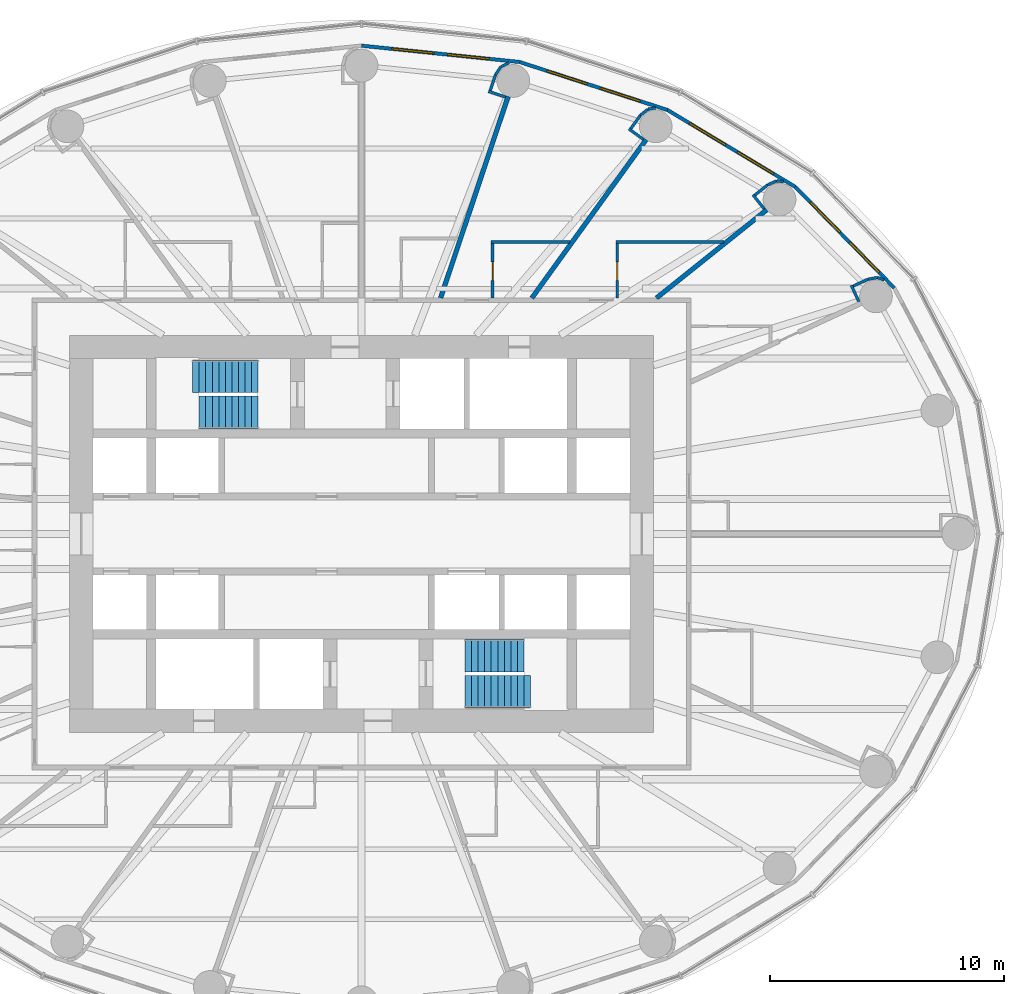
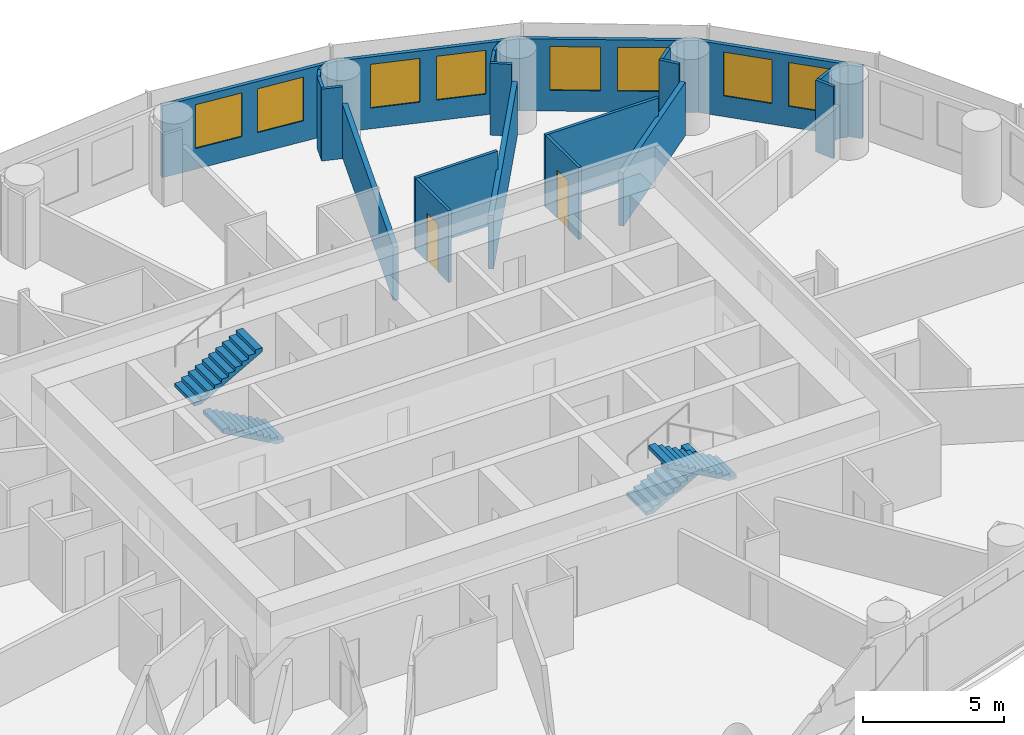
# One storey, part 12 of 13: 27 walls, 8 windows, 4 stair flights, 2 doors, 10 openings, 2 elements without a shape of their own.
"""IFC4 building model written with IfcOpenShell, lengths in metres."""

from ifc_helpers import new_model, si_unit, direction, frame, frame_2d, origin, place, context, subcontext, project, spatial, polyline, rectangle, outline, extrude, material, layer, layer_set, type_object, element, fill, aggregate, save


model = new_model("IFC4")

# Units and contexts
model_context = context("Model", 3, precision=1e-05, world=origin(), true_north=direction((0.0, 1.0)))
body_context = subcontext(model_context, "Body", "Model", "MODEL_VIEW")
ifc_project = project(units=[si_unit("LENGTHUNIT", "METRE"), si_unit("AREAUNIT", "SQUARE_METRE"), si_unit("VOLUMEUNIT", "CUBIC_METRE"), si_unit("PLANEANGLEUNIT", "RADIAN"), si_unit("MASSUNIT", "GRAM", prefix="KILO")], contexts=[model_context])

# Site, building, storey
site_placement = place(None, origin())
site = spatial("IfcSite", under=ifc_project, at=site_placement, CompositionType="ELEMENT")
building_placement = place(site_placement, origin())
building = spatial("IfcBuilding", under=site, at=building_placement, Name="Hankou Lantern Tower", CompositionType="ELEMENT")
storey_placement = place(building_placement, frame((0.0, 0.0, 80.39990234375)))
storey = spatial("IfcBuildingStorey", under=building, at=storey_placement, Name="L20", CompositionType="ELEMENT", Elevation=80.39990234375)

# Wall, openings, windows
ifc_material_1 = material(Name="Aluminium spandrel panel on steel studs", Category="steel")
ifc_layer_1 = layer(ifc_material_1, 0.14990234375)
ifc_layer_set_1 = layer_set([ifc_layer_1], Name="Aluminium spandrel panel on steel studs")
wall_type_1 = type_object("IfcWallType", Name="EW1 INNER SKIN WALL 150", PredefinedType="ELEMENTEDWALL", material=ifc_layer_set_1)
wall_1_placement = place(storey_placement, frame((22.802734375, 10.5322265625, 0.0), z_axis=(0.0, 0.0, 1.0), x_axis=(-0.699602905915, 0.714531856557, 0.0)))
wall_1 = element("IfcWall", 1, at=wall_1_placement, inside=storey, type_object=wall_type_1, Name="Inner skin R03-R04 L20", PredefinedType="ELEMENTEDWALL", context=body_context, shape_type="SweptSolid", body=[
    extrude(rectangle(XDim=6.05078125, YDim=0.14990234375, at=frame_2d((3.025390625, 0.0))), origin(), (0.0, 0.0, 1.0), 3.1201171875),
])
opening_1_placement = place(wall_1_placement, frame((0.925537109375, 0.0, 0.89990234375)))
opening_1 = element("IfcOpeningElement", 2, at=opening_1_placement, cuts=wall_1, Name="Opening W1", PredefinedType="OPENING", context=body_context, shape_type="SweptSolid", body=[
    extrude(rectangle(XDim=1.800048828125, YDim=1.89990234375, at=frame_2d((0.89990234375, 0.949951171875))), frame((0.0, 0.0849609375, 0.0), z_axis=(0.0, -1.0, 0.0), x_axis=(1.0, 0.0, 0.0)), (0.0, 0.0, 1.0), 0.169921875),
])
opening_2_placement = place(wall_1_placement, frame((3.325439453125, 0.0, 0.89990234375)))
opening_2 = element("IfcOpeningElement", 3, at=opening_2_placement, cuts=wall_1, Name="Opening W1", PredefinedType="OPENING", context=body_context, shape_type="SweptSolid", body=[
    extrude(rectangle(XDim=1.800048828125, YDim=1.89990234375, at=frame_2d((0.89990234375, 0.949951171875))), frame((0.0, 0.0849609375, 0.0), z_axis=(0.0, -1.0, 0.0), x_axis=(1.0, 0.0, 0.0)), (0.0, 0.0, 1.0), 0.169921875),
])
ifc_material_2 = material(Name="Aluminium framed double glazed window", Category="aluminium")
window_type = type_object("IfcWindowType", Name="W1 GUEST ROOM WINDOW 1800X1900", PartitioningType="DOUBLE_PANEL_VERTICAL", PredefinedType="WINDOW", material=ifc_material_2)
window_1_placement = place(opening_1_placement, origin())
window_1 = element("IfcWindow", 4, at=window_1_placement, inside=storey, type_object=window_type, Name="Window R03.1 L20", OverallHeight=1.89990234375, OverallWidth=1.800048828125, PartitioningType="SINGLE_PANEL", PredefinedType="WINDOW", context=body_context, shape_type="SweptSolid", body=[
    extrude(rectangle(XDim=1.800048828125, YDim=1.89990234375, at=frame_2d((0.89990234375, 0.949951171875))), frame((0.0, 0.030029296875, 0.0), z_axis=(0.0, -1.0, 0.0), x_axis=(1.0, 0.0, 0.0)), (0.0, 0.0, 1.0), 0.06005859375),
])
fill(opening_1, window_1)
window_2_placement = place(opening_2_placement, origin())
window_2 = element("IfcWindow", 5, at=window_2_placement, inside=storey, type_object=window_type, Name="Window R03.2 L20", OverallHeight=1.89990234375, OverallWidth=1.800048828125, PartitioningType="SINGLE_PANEL", PredefinedType="WINDOW", context=body_context, shape_type="SweptSolid", body=[
    extrude(rectangle(XDim=1.800048828125, YDim=1.89990234375, at=frame_2d((0.89990234375, 0.949951171875))), frame((0.0, 0.030029296875, 0.0), z_axis=(0.0, -1.0, 0.0), x_axis=(1.0, 0.0, 0.0)), (0.0, 0.0, 1.0), 0.06005859375),
])
fill(opening_2, window_2)

wall_2_placement = place(storey_placement, frame((18.569580078125, 14.855712890625, 0.0), z_axis=(0.0, 0.0, 1.0), x_axis=(-0.856983180864, 0.515344377787, 0.0)))
wall_2 = element("IfcWall", 6, at=wall_2_placement, inside=storey, type_object=wall_type_1, Name="Inner skin R04-R05 L20", PredefinedType="ELEMENTEDWALL", context=body_context, shape_type="SweptSolid", body=[
    extrude(rectangle(XDim=6.386474609375, YDim=0.14990234375, at=frame_2d((3.193359375, 0.0))), origin(), (0.0, 0.0, 1.0), 3.1201171875),
])
opening_3_placement = place(wall_2_placement, frame((1.09326171875, 0.0, 0.89990234375)))
opening_3 = element("IfcOpeningElement", 7, at=opening_3_placement, cuts=wall_2, Name="Opening W1", PredefinedType="OPENING", context=body_context, shape_type="SweptSolid", body=[
    extrude(rectangle(XDim=1.800048828125, YDim=1.89990234375, at=frame_2d((0.89990234375, 0.949951171875))), frame((0.0, 0.0849609375, 0.0), z_axis=(0.0, -1.0, 0.0), x_axis=(1.0, 0.0, 0.0)), (0.0, 0.0, 1.0), 0.169921875),
])
opening_4_placement = place(wall_2_placement, frame((3.4931640625, 0.0, 0.89990234375)))
opening_4 = element("IfcOpeningElement", 8, at=opening_4_placement, cuts=wall_2, Name="Opening W1", PredefinedType="OPENING", context=body_context, shape_type="SweptSolid", body=[
    extrude(rectangle(XDim=1.800048828125, YDim=1.89990234375, at=frame_2d((0.89990234375, 0.949951171875))), frame((0.0, 0.0849609375, 0.0), z_axis=(0.0, -1.0, 0.0), x_axis=(1.0, 0.0, 0.0)), (0.0, 0.0, 1.0), 0.169921875),
])
window_3_placement = place(opening_3_placement, origin())
window_3 = element("IfcWindow", 9, at=window_3_placement, inside=storey, type_object=window_type, Name="Window R04.1 L20", OverallHeight=1.89990234375, OverallWidth=1.800048828125, PartitioningType="SINGLE_PANEL", PredefinedType="WINDOW", context=body_context, shape_type="SweptSolid", body=[
    extrude(rectangle(XDim=1.800048828125, YDim=1.89990234375, at=frame_2d((0.89990234375, 0.949951171875))), frame((0.0, 0.030029296875, 0.0), z_axis=(0.0, -1.0, 0.0), x_axis=(1.0, 0.0, 0.0)), (0.0, 0.0, 1.0), 0.06005859375),
])
fill(opening_3, window_3)
window_4_placement = place(opening_4_placement, origin())
window_4 = element("IfcWindow", 10, at=window_4_placement, inside=storey, type_object=window_type, Name="Window R04.2 L20", OverallHeight=1.89990234375, OverallWidth=1.800048828125, PartitioningType="SINGLE_PANEL", PredefinedType="WINDOW", context=body_context, shape_type="SweptSolid", body=[
    extrude(rectangle(XDim=1.800048828125, YDim=1.89990234375, at=frame_2d((0.89990234375, 0.949951171875))), frame((0.0, 0.030029296875, 0.0), z_axis=(0.0, -1.0, 0.0), x_axis=(1.0, 0.0, 0.0)), (0.0, 0.0, 1.0), 0.06005859375),
])
fill(opening_4, window_4)

wall_3_placement = place(storey_placement, frame((13.096435546875, 18.14697265625, 0.0), z_axis=(0.0, 0.0, 1.0), x_axis=(-0.951137534625, 0.308767534285, 0.0)))
wall_3 = element("IfcWall", 11, at=wall_3_placement, inside=storey, type_object=wall_type_1, Name="Inner skin R05-R06 L20", PredefinedType="ELEMENTEDWALL", context=body_context, shape_type="SweptSolid", body=[
    extrude(rectangle(XDim=6.6552734375, YDim=0.14990234375, at=frame_2d((3.32763671875, 0.0))), origin(), (0.0, 0.0, 1.0), 3.1201171875),
])
opening_5_placement = place(wall_3_placement, frame((1.2275390625, 0.0, 0.89990234375)))
opening_5 = element("IfcOpeningElement", 12, at=opening_5_placement, cuts=wall_3, Name="Opening W1", PredefinedType="OPENING", context=body_context, shape_type="SweptSolid", body=[
    extrude(rectangle(XDim=1.800048828125, YDim=1.89990234375, at=frame_2d((0.89990234375, 0.949951171875))), frame((0.0, 0.0849609375, 0.0), z_axis=(0.0, -1.0, 0.0), x_axis=(1.0, 0.0, 0.0)), (0.0, 0.0, 1.0), 0.169921875),
])
opening_6_placement = place(wall_3_placement, frame((3.627685546875, 0.0, 0.89990234375)))
opening_6 = element("IfcOpeningElement", 13, at=opening_6_placement, cuts=wall_3, Name="Opening W1", PredefinedType="OPENING", context=body_context, shape_type="SweptSolid", body=[
    extrude(rectangle(XDim=1.800048828125, YDim=1.89990234375, at=frame_2d((0.89990234375, 0.949951171875))), frame((0.0, 0.0849609375, 0.0), z_axis=(0.0, -1.0, 0.0), x_axis=(1.0, 0.0, 0.0)), (0.0, 0.0, 1.0), 0.169921875),
])
window_5_placement = place(opening_5_placement, origin())
window_5 = element("IfcWindow", 14, at=window_5_placement, inside=storey, type_object=window_type, Name="Window R05.1 L20", OverallHeight=1.89990234375, OverallWidth=1.800048828125, PartitioningType="SINGLE_PANEL", PredefinedType="WINDOW", context=body_context, shape_type="SweptSolid", body=[
    extrude(rectangle(XDim=1.800048828125, YDim=1.89990234375, at=frame_2d((0.89990234375, 0.949951171875))), frame((0.0, 0.030029296875, 0.0), z_axis=(0.0, -1.0, 0.0), x_axis=(1.0, 0.0, 0.0)), (0.0, 0.0, 1.0), 0.06005859375),
])
fill(opening_5, window_5)
window_6_placement = place(opening_6_placement, origin())
window_6 = element("IfcWindow", 15, at=window_6_placement, inside=storey, type_object=window_type, Name="Window R05.2 L20", OverallHeight=1.89990234375, OverallWidth=1.800048828125, PartitioningType="SINGLE_PANEL", PredefinedType="WINDOW", context=body_context, shape_type="SweptSolid", body=[
    extrude(rectangle(XDim=1.800048828125, YDim=1.89990234375, at=frame_2d((0.89990234375, 0.949951171875))), frame((0.0, 0.030029296875, 0.0), z_axis=(0.0, -1.0, 0.0), x_axis=(1.0, 0.0, 0.0)), (0.0, 0.0, 1.0), 0.06005859375),
])
fill(opening_6, window_6)

wall_4_placement = place(storey_placement, frame((6.766357421875, 20.201904296875, 0.0), z_axis=(0.0, 0.0, 1.0), x_axis=(-0.994721394369, 0.102612609291, 0.0)))
wall_4 = element("IfcWall", 16, at=wall_4_placement, inside=storey, type_object=wall_type_1, Name="Inner skin R06-R07 L20", PredefinedType="ELEMENTEDWALL", context=body_context, shape_type="SweptSolid", body=[
    extrude(rectangle(XDim=6.80224609375, YDim=0.14990234375, at=frame_2d((3.401123046875, 0.0))), origin(), (0.0, 0.0, 1.0), 3.1201171875),
])
opening_7_placement = place(wall_4_placement, frame((1.301025390625, 0.0, 0.89990234375)))
opening_7 = element("IfcOpeningElement", 17, at=opening_7_placement, cuts=wall_4, Name="Opening W1", PredefinedType="OPENING", context=body_context, shape_type="SweptSolid", body=[
    extrude(rectangle(XDim=1.800048828125, YDim=1.89990234375, at=frame_2d((0.89990234375, 0.949951171875))), frame((0.0, 0.0849609375, 0.0), z_axis=(0.0, -1.0, 0.0), x_axis=(1.0, 0.0, 0.0)), (0.0, 0.0, 1.0), 0.169921875),
])
opening_8_placement = place(wall_4_placement, frame((3.701171875, 0.0, 0.89990234375)))
opening_8 = element("IfcOpeningElement", 18, at=opening_8_placement, cuts=wall_4, Name="Opening W1", PredefinedType="OPENING", context=body_context, shape_type="SweptSolid", body=[
    extrude(rectangle(XDim=1.800048828125, YDim=1.89990234375, at=frame_2d((0.89990234375, 0.949951171875))), frame((0.0, 0.0849609375, 0.0), z_axis=(0.0, -1.0, 0.0), x_axis=(1.0, 0.0, 0.0)), (0.0, 0.0, 1.0), 0.169921875),
])
window_7_placement = place(opening_7_placement, origin())
window_7 = element("IfcWindow", 19, at=window_7_placement, inside=storey, type_object=window_type, Name="Window R06.1 L20", OverallHeight=1.89990234375, OverallWidth=1.800048828125, PartitioningType="SINGLE_PANEL", PredefinedType="WINDOW", context=body_context, shape_type="SweptSolid", body=[
    extrude(rectangle(XDim=1.800048828125, YDim=1.89990234375, at=frame_2d((0.89990234375, 0.949951171875))), frame((0.0, 0.030029296875, 0.0), z_axis=(0.0, -1.0, 0.0), x_axis=(1.0, 0.0, 0.0)), (0.0, 0.0, 1.0), 0.06005859375),
])
fill(opening_7, window_7)
window_8_placement = place(opening_8_placement, origin())
window_8 = element("IfcWindow", 20, at=window_8_placement, inside=storey, type_object=window_type, Name="Window R06.2 L20", OverallHeight=1.89990234375, OverallWidth=1.800048828125, PartitioningType="SINGLE_PANEL", PredefinedType="WINDOW", context=body_context, shape_type="SweptSolid", body=[
    extrude(rectangle(XDim=1.800048828125, YDim=1.89990234375, at=frame_2d((0.89990234375, 0.949951171875))), frame((0.0, 0.030029296875, 0.0), z_axis=(0.0, -1.0, 0.0), x_axis=(1.0, 0.0, 0.0)), (0.0, 0.0, 1.0), 0.06005859375),
])
fill(opening_8, window_8)

# Walls
ifc_material_3 = material(Name="Masonry lightweight concrete block", Category="masonry")
ifc_layer_2 = layer(ifc_material_3, 0.199951171875)
ifc_layer_set_2 = layer_set([ifc_layer_2], Name="Masonry lightweight concrete block")
wall_type_2 = type_object("IfcWallType", Name="IW1 GUEST ROOM PARTY WALL 200", PredefinedType="PARTITIONING", material=ifc_layer_set_2)
wall_5_placement = place(storey_placement, frame((12.625, 10.10009765625, 0.0), z_axis=(0.0, 0.0, 1.0), x_axis=(0.780892451574, 0.624665493744, 0.0)))
element("IfcWall", 21, at=wall_5_placement, inside=storey, type_object=wall_type_2, Name="Party wall R04", PredefinedType="PARTITIONING", context=body_context, shape_type="SweptSolid", body=[
    extrude(rectangle(XDim=6.044677734375, YDim=0.199951171875, at=frame_2d((3.0224609375, 0.0))), origin(), (0.0, 0.0, 1.0), 2.320068359375),
])
wall_6_placement = place(storey_placement, frame((7.2890625, 10.10009765625, 0.0), z_axis=(0.0, 0.0, 1.0), x_axis=(0.585198353053, 0.810890182197, 0.0)))
element("IfcWall", 22, at=wall_6_placement, inside=storey, type_object=wall_type_2, Name="Party wall R05", PredefinedType="PARTITIONING", context=body_context, shape_type="SweptSolid", body=[
    extrude(rectangle(XDim=8.359619140625, YDim=0.199951171875, at=frame_2d((4.1796875, 0.0))), origin(), (0.0, 0.0, 1.0), 2.320068359375),
])
wall_7_placement = place(storey_placement, frame((3.3828125, 10.10009765625, 0.0), z_axis=(0.0, 0.0, 1.0), x_axis=(0.31759592231, 0.948226149256, 0.0)))
element("IfcWall", 23, at=wall_7_placement, inside=storey, type_object=wall_type_2, Name="Party wall R06", PredefinedType="PARTITIONING", context=body_context, shape_type="SweptSolid", body=[
    extrude(rectangle(XDim=9.098388671875, YDim=0.199951171875, at=frame_2d((4.54931640625, 0.0))), origin(), (0.0, 0.0, 1.0), 2.320068359375),
])
ifc_material_4 = material(Name="Masonry lightweight concrete block", Category="masonry")
ifc_layer_3 = layer(ifc_material_4, 0.1201171875)
ifc_layer_set_3 = layer_set([ifc_layer_3], Name="Masonry lightweight concrete block")
wall_type_3 = type_object("IfcWallType", Name="IW3 BATHROOM WALL 120", PredefinedType="PARTITIONING", material=ifc_layer_set_3)
wall_8_placement = place(storey_placement, frame((15.52490234375, 12.5, 0.0), z_axis=(0.0, 0.0, 1.0), x_axis=(-1.0, 0.0, 0.0)))
element("IfcWall", 24, at=wall_8_placement, inside=storey, type_object=wall_type_3, Name="Box wall 2011 1", PredefinedType="PARTITIONING", context=body_context, shape_type="SweptSolid", body=[
    extrude(rectangle(XDim=4.639892578125, YDim=0.1201171875, at=frame_2d((2.31982421875, 0.0))), origin(), (0.0, 0.0, 1.0), 3.1201171875),
])

# Wall, opening, door
wall_9_placement = place(storey_placement, frame((10.945068359375, 10.10009765625, 0.0), z_axis=(0.0, 0.0, 1.0), x_axis=(0.0, 1.0, 0.0)))
wall_9 = element("IfcWall", 25, at=wall_9_placement, inside=storey, type_object=wall_type_3, Name="Box wall 2011 1", PredefinedType="PARTITIONING", context=body_context, shape_type="SweptSolid", body=[
    extrude(rectangle(XDim=2.33984375, YDim=0.1201171875, at=frame_2d((1.169921875, 0.0))), origin(), (0.0, 0.0, 1.0), 3.1201171875),
])
opening_9_placement = place(wall_9_placement, frame((0.75, 0.0, 0.0)))
opening_9 = element("IfcOpeningElement", 26, at=opening_9_placement, cuts=wall_9, Name="Opening D3", PredefinedType="OPENING", context=body_context, shape_type="SweptSolid", body=[
    extrude(rectangle(XDim=0.800048828125, YDim=2.10009765625, at=frame_2d((0.39990234375, 1.050048828125))), frame((0.0, 0.070068359375, 0.0), z_axis=(0.0, -1.0, 0.0), x_axis=(1.0, 0.0, 0.0)), (0.0, 0.0, 1.0), 0.14013671875),
])
ifc_material_5 = material(Name="Timber door leaf", Category="wood")
door_type = type_object("IfcDoorType", Name="D3 BATHROOM DOOR 800X2100", OperationType="SINGLE_SWING_LEFT", PredefinedType="DOOR", material=ifc_material_5)
door_1_placement = place(opening_9_placement, origin())
door_1 = element("IfcDoor", 27, at=door_1_placement, inside=storey, type_object=door_type, Name="En-suite bathroom 2011 door", OperationType="SINGLE_SWING_LEFT", OverallHeight=2.10009765625, OverallWidth=0.800048828125, PredefinedType="DOOR", context=body_context, shape_type="SweptSolid", body=[
    extrude(rectangle(XDim=0.800048828125, YDim=2.10009765625, at=frame_2d((0.39990234375, 1.050048828125))), frame((0.0, 0.02490234375, 0.0), z_axis=(0.0, -1.0, 0.0), x_axis=(1.0, 0.0, 0.0)), (0.0, 0.0, 1.0), 0.050048828125),
])
fill(opening_9, door_1)

# Wall
wall_10_placement = place(storey_placement, frame((8.921142578125, 12.5, 0.0), z_axis=(0.0, 0.0, 1.0), x_axis=(-1.0, 0.0, 0.0)))
element("IfcWall", 28, at=wall_10_placement, inside=storey, type_object=wall_type_3, Name="Box wall 2012 1", PredefinedType="PARTITIONING", context=body_context, shape_type="SweptSolid", body=[
    extrude(rectangle(XDim=3.3720703125, YDim=0.1201171875, at=frame_2d((1.68603515625, 0.0))), origin(), (0.0, 0.0, 1.0), 3.1201171875),
])

# Wall, opening, door
wall_11_placement = place(storey_placement, frame((5.609130859375, 10.10009765625, 0.0), z_axis=(0.0, 0.0, 1.0), x_axis=(0.0, 1.0, 0.0)))
wall_11 = element("IfcWall", 29, at=wall_11_placement, inside=storey, type_object=wall_type_3, Name="Box wall 2012 1", PredefinedType="PARTITIONING", context=body_context, shape_type="SweptSolid", body=[
    extrude(rectangle(XDim=2.33984375, YDim=0.1201171875, at=frame_2d((1.169921875, 0.0))), origin(), (0.0, 0.0, 1.0), 3.1201171875),
])
opening_10_placement = place(wall_11_placement, frame((0.75, 0.0, 0.0)))
opening_10 = element("IfcOpeningElement", 30, at=opening_10_placement, cuts=wall_11, Name="Opening D3", PredefinedType="OPENING", context=body_context, shape_type="SweptSolid", body=[
    extrude(rectangle(XDim=0.800048828125, YDim=2.10009765625, at=frame_2d((0.39990234375, 1.050048828125))), frame((0.0, 0.070068359375, 0.0), z_axis=(0.0, -1.0, 0.0), x_axis=(1.0, 0.0, 0.0)), (0.0, 0.0, 1.0), 0.14013671875),
])
door_2_placement = place(opening_10_placement, origin())
door_2 = element("IfcDoor", 31, at=door_2_placement, inside=storey, type_object=door_type, Name="En-suite bathroom 2012 door", OperationType="SINGLE_SWING_LEFT", OverallHeight=2.10009765625, OverallWidth=0.800048828125, PredefinedType="DOOR", context=body_context, shape_type="SweptSolid", body=[
    extrude(rectangle(XDim=0.800048828125, YDim=2.10009765625, at=frame_2d((0.39990234375, 1.050048828125))), frame((0.0, 0.02490234375, 0.0), z_axis=(0.0, -1.0, 0.0), x_axis=(1.0, 0.0, 0.0)), (0.0, 0.0, 1.0), 0.050048828125),
])
fill(opening_10, door_2)

# Walls
ifc_material_6 = material(Name="Masonry lightweight concrete block", Category="masonry")
ifc_layer_4 = layer(ifc_material_6, 0.1201171875)
ifc_layer_set_4 = layer_set([ifc_layer_4], Name="Masonry lightweight concrete block")
wall_type_4 = type_object("IfcWallType", Name="IW4 PARTITION 120", PredefinedType="PARTITIONING", material=ifc_layer_set_4)
wall_12_placement = place(storey_placement, frame((21.287109375, 9.9423828125, 0.0), z_axis=(0.0, 0.0, 1.0), x_axis=(-0.419259891039, 0.907866258744, 0.0)))
element("IfcWall", 32, at=wall_12_placement, inside=storey, type_object=wall_type_4, Name="Column casing R03 return", PredefinedType="PARTITIONING", context=body_context, shape_type="SweptSolid", body=[
    extrude(rectangle(XDim=0.767578125, YDim=0.1201171875, at=frame_2d((0.3837890625, 0.0))), origin(), (0.0, 0.0, 1.0), 3.1201171875),
])
wall_13_placement = place(storey_placement, frame((21.044921875, 10.60986328125, 0.0), z_axis=(0.0, 0.0, 1.0), x_axis=(0.907877701396, 0.419235112208, 0.0)))
element("IfcWall", 33, at=wall_13_placement, inside=storey, type_object=wall_type_4, Name="Column casing R03", PredefinedType="PARTITIONING", context=body_context, shape_type="SweptSolid", body=[
    extrude(rectangle(XDim=0.699951171875, YDim=0.1201171875, at=frame_2d((0.35009765625, 0.0))), origin(), (0.0, 0.0, 1.0), 3.1201171875),
])
wall_14_placement = place(storey_placement, frame((21.680419921875, 10.9033203125, 0.0), z_axis=(0.0, 0.0, 1.0), x_axis=(0.985446622073, 0.169985161247, 0.0)))
element("IfcWall", 34, at=wall_14_placement, inside=storey, type_object=wall_type_4, Name="Column casing R03", PredefinedType="PARTITIONING", context=body_context, shape_type="SweptSolid", body=[
    extrude(rectangle(XDim=0.41796875, YDim=0.1201171875, at=frame_2d((0.208984375, 0.0))), origin(), (0.0, 0.0, 1.0), 3.1201171875),
])
wall_15_placement = place(storey_placement, frame((22.09228515625, 10.974365234375, 0.0), z_axis=(0.0, 0.0, 1.0), x_axis=(0.938428160676, -0.345474437912, 0.0)))
element("IfcWall", 35, at=wall_15_placement, inside=storey, type_object=wall_type_4, Name="Column casing R03", PredefinedType="PARTITIONING", context=body_context, shape_type="SweptSolid", body=[
    extrude(rectangle(XDim=0.2939453125, YDim=0.1201171875, at=frame_2d((0.14697265625, 0.0))), origin(), (0.0, 0.0, 1.0), 3.1201171875),
])
wall_16_placement = place(storey_placement, frame((17.23583984375, 13.916748046875, 0.0), z_axis=(0.0, 0.0, 1.0), x_axis=(-0.624695047554, 0.780868809443, 0.0)))
element("IfcWall", 36, at=wall_16_placement, inside=storey, type_object=wall_type_4, Name="Column casing R04 return", PredefinedType="PARTITIONING", context=body_context, shape_type="SweptSolid", body=[
    extrude(rectangle(XDim=0.767578125, YDim=0.1201171875, at=frame_2d((0.3837890625, 0.0))), origin(), (0.0, 0.0, 1.0), 3.1201171875),
])
wall_17_placement = place(storey_placement, frame((16.840576171875, 14.506591796875, 0.0), z_axis=(0.0, 0.0, 1.0), x_axis=(0.780902834923, 0.62465251333, 0.0)))
element("IfcWall", 37, at=wall_17_placement, inside=storey, type_object=wall_type_4, Name="Column casing R04", PredefinedType="PARTITIONING", context=body_context, shape_type="SweptSolid", body=[
    extrude(rectangle(XDim=0.699951171875, YDim=0.1201171875, at=frame_2d((0.35009765625, 0.0))), origin(), (0.0, 0.0, 1.0), 3.1201171875),
])
wall_18_placement = place(storey_placement, frame((17.38720703125, 14.94384765625, 0.0), z_axis=(0.0, 0.0, 1.0), x_axis=(0.916036698064, 0.401094462441, 0.0)))
element("IfcWall", 38, at=wall_18_placement, inside=storey, type_object=wall_type_4, Name="Column casing R04", PredefinedType="PARTITIONING", context=body_context, shape_type="SweptSolid", body=[
    extrude(rectangle(XDim=0.418212890625, YDim=0.1201171875, at=frame_2d((0.208984375, 0.0))), origin(), (0.0, 0.0, 1.0), 3.1201171875),
])
wall_19_placement = place(storey_placement, frame((17.770263671875, 15.111572265625, 0.0), z_axis=(0.0, 0.0, 1.0), x_axis=(0.993904401174, -0.110245368731, 0.0)))
element("IfcWall", 39, at=wall_19_placement, inside=storey, type_object=wall_type_4, Name="Column casing R04", PredefinedType="PARTITIONING", context=body_context, shape_type="SweptSolid", body=[
    extrude(rectangle(XDim=0.287841796875, YDim=0.1201171875, at=frame_2d((0.14404296875, 0.0))), origin(), (0.0, 0.0, 1.0), 3.1201171875),
])
wall_20_placement = place(storey_placement, frame((12.06494140625, 16.888671875, 0.0), z_axis=(0.0, 0.0, 1.0), x_axis=(-0.810821798253, 0.585293098778, 0.0)))
element("IfcWall", 40, at=wall_20_placement, inside=storey, type_object=wall_type_4, Name="Column casing R05 return", PredefinedType="PARTITIONING", context=body_context, shape_type="SweptSolid", body=[
    extrude(rectangle(XDim=0.767578125, YDim=0.1201171875, at=frame_2d((0.3837890625, 0.0))), origin(), (0.0, 0.0, 1.0), 3.1201171875),
])
wall_21_placement = place(storey_placement, frame((11.5263671875, 17.351318359375, 0.0), z_axis=(0.0, 0.0, 1.0), x_axis=(0.585223113993, 0.810872312296, 0.0)))
element("IfcWall", 41, at=wall_21_placement, inside=storey, type_object=wall_type_4, Name="Column casing R05", PredefinedType="PARTITIONING", context=body_context, shape_type="SweptSolid", body=[
    extrude(rectangle(XDim=0.699951171875, YDim=0.1201171875, at=frame_2d((0.35009765625, 0.0))), origin(), (0.0, 0.0, 1.0), 3.1201171875),
])
wall_22_placement = place(storey_placement, frame((11.93603515625, 17.9189453125, 0.0), z_axis=(0.0, 0.0, 1.0), x_axis=(0.775023088441, 0.631932917629, 0.0)))
element("IfcWall", 42, at=wall_22_placement, inside=storey, type_object=wall_type_4, Name="Column casing R05", PredefinedType="PARTITIONING", context=body_context, shape_type="SweptSolid", body=[
    extrude(rectangle(XDim=0.41796875, YDim=0.1201171875, at=frame_2d((0.208984375, 0.0))), origin(), (0.0, 0.0, 1.0), 3.1201171875),
])
wall_23_placement = place(storey_placement, frame((12.260009765625, 18.18310546875, 0.0), z_axis=(0.0, 0.0, 1.0), x_axis=(0.987218661664, 0.159371622511, 0.0)))
element("IfcWall", 43, at=wall_23_placement, inside=storey, type_object=wall_type_4, Name="Column casing R05", PredefinedType="PARTITIONING", context=body_context, shape_type="SweptSolid", body=[
    extrude(rectangle(XDim=0.330810546875, YDim=0.1201171875, at=frame_2d((0.16552734375, 0.0))), origin(), (0.0, 0.0, 1.0), 3.1201171875),
])
wall_24_placement = place(storey_placement, frame((6.15869140625, 18.702392578125, 0.0), z_axis=(0.0, 0.0, 1.0), x_axis=(-0.948173154049, 0.31775410295, 0.0)))
element("IfcWall", 44, at=wall_24_placement, inside=storey, type_object=wall_type_4, Name="Column casing R06 return", PredefinedType="PARTITIONING", context=body_context, shape_type="SweptSolid", body=[
    extrude(rectangle(XDim=0.767578125, YDim=0.1201171875, at=frame_2d((0.3837890625, 0.0))), origin(), (0.0, 0.0, 1.0), 3.1201171875),
])
wall_25_placement = place(storey_placement, frame((5.5068359375, 18.984130859375, 0.0), z_axis=(0.0, 0.0, 1.0), x_axis=(0.317692050622, 0.948193946918, 0.0)))
element("IfcWall", 45, at=wall_25_placement, inside=storey, type_object=wall_type_4, Name="Column casing R06", PredefinedType="PARTITIONING", context=body_context, shape_type="SweptSolid", body=[
    extrude(rectangle(XDim=0.7001953125, YDim=0.1201171875, at=frame_2d((0.35009765625, 0.0))), origin(), (0.0, 0.0, 1.0), 3.1201171875),
])
wall_26_placement = place(storey_placement, frame((5.729248046875, 19.64794921875, 0.0), z_axis=(0.0, 0.0, 1.0), x_axis=(0.552135764955, 0.833754218615, 0.0)))
element("IfcWall", 46, at=wall_26_placement, inside=storey, type_object=wall_type_4, Name="Column casing R06", PredefinedType="PARTITIONING", context=body_context, shape_type="SweptSolid", body=[
    extrude(rectangle(XDim=0.41796875, YDim=0.1201171875, at=frame_2d((0.208984375, 0.0))), origin(), (0.0, 0.0, 1.0), 3.1201171875),
])
wall_27_placement = place(storey_placement, frame((5.9599609375, 19.996337890625, 0.0), z_axis=(0.0, 0.0, 1.0), x_axis=(0.895160725913, 0.445743507842, 0.0)))
element("IfcWall", 47, at=wall_27_placement, inside=storey, type_object=wall_type_4, Name="Column casing R06", PredefinedType="PARTITIONING", context=body_context, shape_type="SweptSolid", body=[
    extrude(rectangle(XDim=0.398681640625, YDim=0.1201171875, at=frame_2d((0.19921875, 0.0))), origin(), (0.0, 0.0, 1.0), 3.1201171875),
])

# Stair, stair flight
ifc_material_7 = material(Name="Concrete C40", Category="concrete")
stair_type = type_object("IfcStairType", Name="ST33 CORE STAIR 3300 RISE", PredefinedType="HALF_TURN_STAIR", material=ifc_material_7)
stair_1_placement = place(storey_placement, origin())
stair_1 = element("IfcStair", 48, at=stair_1_placement, inside=storey, type_object=stair_type, Name="Stair STA L20", PredefinedType="HALF_TURN_STAIR")
ifc_material_8 = material(Name="Concrete C40", Category="concrete")
stair_flight_type_1 = type_object("IfcStairFlightType", Name="CF10 CORE STAIR FLIGHT 1400 X 10 RISERS", PredefinedType="STRAIGHT", material=ifc_material_8)
stair_flight_1_placement = place(storey_placement, frame((-4.429931640625, 5.199951171875, 0.0), z_axis=(0.0, 0.0, 1.0), x_axis=(-1.0, 0.0, 0.0)))
stair_flight_1 = element("IfcStairFlight", 49, at=stair_flight_1_placement, type_object=stair_flight_type_1, Name="STA flight 1", NumberOfRisers=10, NumberOfTreads=9, PredefinedType="STRAIGHT", RiserHeight=0.157142857, TreadLength=0.28, context=body_context, shape_type="SweptSolid", body=[
    extrude(outline(polyline([(0.0, 0.0), (0.0, 0.1572265625), (0.280029296875, 0.1572265625), (0.280029296875, 0.314208984375), (0.56005859375, 0.314208984375), (0.56005859375, 0.471435546875), (0.840087890625, 0.471435546875), (0.840087890625, 0.628662109375), (1.1201171875, 0.628662109375), (1.1201171875, 0.78564453125), (1.39990234375, 0.78564453125), (1.39990234375, 0.94287109375), (1.679931640625, 0.94287109375), (1.679931640625, 1.10009765625), (1.9599609375, 1.10009765625), (1.9599609375, 1.257080078125), (2.239990234375, 1.257080078125), (2.239990234375, 1.414306640625), (2.52001953125, 1.414306640625), (2.52001953125, 1.571533203125), (2.52001953125, 1.242431640625), (0.306396484375, 0.0), (0.0, 0.0)])), frame((0.0, 0.699951171875, 0.0), z_axis=(0.0, -1.0, 0.0), x_axis=(1.0, 0.0, 0.0)), (0.0, 0.0, 1.0), 1.39990234375),
])

stair_2_placement = place(storey_placement, origin())
stair_2 = element("IfcStair", 50, at=stair_2_placement, inside=storey, type_object=stair_type, Name="Stair STB L20", PredefinedType="HALF_TURN_STAIR")
stair_flight_2_placement = place(storey_placement, frame((4.429931640625, -5.199951171875, 0.0), z_axis=(0.0, 0.0, 1.0), x_axis=(1.0, 0.0, 0.0)))
stair_flight_2 = element("IfcStairFlight", 51, at=stair_flight_2_placement, type_object=stair_flight_type_1, Name="STB flight 1", NumberOfRisers=10, NumberOfTreads=9, PredefinedType="STRAIGHT", RiserHeight=0.157142857, TreadLength=0.28, context=body_context, shape_type="SweptSolid", body=[
    extrude(outline(polyline([(0.0, 0.0), (0.0, 0.1572265625), (0.280029296875, 0.1572265625), (0.280029296875, 0.314208984375), (0.56005859375, 0.314208984375), (0.56005859375, 0.471435546875), (0.840087890625, 0.471435546875), (0.840087890625, 0.628662109375), (1.1201171875, 0.628662109375), (1.1201171875, 0.78564453125), (1.39990234375, 0.78564453125), (1.39990234375, 0.94287109375), (1.679931640625, 0.94287109375), (1.679931640625, 1.10009765625), (1.9599609375, 1.10009765625), (1.9599609375, 1.257080078125), (2.239990234375, 1.257080078125), (2.239990234375, 1.414306640625), (2.52001953125, 1.414306640625), (2.52001953125, 1.571533203125), (2.52001953125, 1.242431640625), (0.306396484375, 0.0), (0.0, 0.0)])), frame((0.0, 0.699951171875, 0.0), z_axis=(0.0, -1.0, 0.0), x_axis=(1.0, 0.0, 0.0)), (0.0, 0.0, 1.0), 1.39990234375),
])

# Stair flight
ifc_material_9 = material(Name="Concrete C40", Category="concrete")
stair_flight_type_2 = type_object("IfcStairFlightType", Name="CF11 CORE STAIR FLIGHT 1400 X 11 RISERS", PredefinedType="STRAIGHT", material=ifc_material_9)
stair_flight_3_placement = place(storey_placement, frame((-7.22998046875, 6.75, 1.571533203125), z_axis=(0.0, 0.0, 1.0), x_axis=(1.0, 0.0, 0.0)))
stair_flight_3 = element("IfcStairFlight", 52, at=stair_flight_3_placement, type_object=stair_flight_type_2, Name="STA flight 2", NumberOfRisers=11, NumberOfTreads=10, PredefinedType="STRAIGHT", RiserHeight=0.157142857, TreadLength=0.28, context=body_context, shape_type="SweptSolid", body=[
    extrude(outline(polyline([(0.0, 0.0), (0.0, 0.1572265625), (0.280029296875, 0.1572265625), (0.280029296875, 0.314208984375), (0.56005859375, 0.314208984375), (0.56005859375, 0.471435546875), (0.840087890625, 0.471435546875), (0.840087890625, 0.628662109375), (1.1201171875, 0.628662109375), (1.1201171875, 0.78564453125), (1.39990234375, 0.78564453125), (1.39990234375, 0.94287109375), (1.679931640625, 0.94287109375), (1.679931640625, 1.10009765625), (1.9599609375, 1.10009765625), (1.9599609375, 1.257080078125), (2.239990234375, 1.257080078125), (2.239990234375, 1.414306640625), (2.52001953125, 1.414306640625), (2.52001953125, 1.571533203125), (2.800048828125, 1.571533203125), (2.800048828125, 1.728515625), (2.800048828125, 1.3994140625), (0.306396484375, 0.0), (0.0, 0.0)])), frame((0.0, 0.699951171875, 0.0), z_axis=(0.0, -1.0, 0.0), x_axis=(1.0, 0.0, 0.0)), (0.0, 0.0, 1.0), 1.39990234375),
])

aggregate(stair_1, [stair_flight_1, stair_flight_3])

stair_flight_4_placement = place(storey_placement, frame((7.22998046875, -6.75, 1.571533203125), z_axis=(0.0, 0.0, 1.0), x_axis=(-1.0, 0.0, 0.0)))
stair_flight_4 = element("IfcStairFlight", 53, at=stair_flight_4_placement, type_object=stair_flight_type_2, Name="STB flight 2", NumberOfRisers=11, NumberOfTreads=10, PredefinedType="STRAIGHT", RiserHeight=0.157142857, TreadLength=0.28, context=body_context, shape_type="SweptSolid", body=[
    extrude(outline(polyline([(0.0, 0.0), (0.0, 0.1572265625), (0.280029296875, 0.1572265625), (0.280029296875, 0.314208984375), (0.56005859375, 0.314208984375), (0.56005859375, 0.471435546875), (0.840087890625, 0.471435546875), (0.840087890625, 0.628662109375), (1.1201171875, 0.628662109375), (1.1201171875, 0.78564453125), (1.39990234375, 0.78564453125), (1.39990234375, 0.94287109375), (1.679931640625, 0.94287109375), (1.679931640625, 1.10009765625), (1.9599609375, 1.10009765625), (1.9599609375, 1.257080078125), (2.239990234375, 1.257080078125), (2.239990234375, 1.414306640625), (2.52001953125, 1.414306640625), (2.52001953125, 1.571533203125), (2.800048828125, 1.571533203125), (2.800048828125, 1.728515625), (2.800048828125, 1.3994140625), (0.306396484375, 0.0), (0.0, 0.0)])), frame((0.0, 0.699951171875, 0.0), z_axis=(0.0, -1.0, 0.0), x_axis=(1.0, 0.0, 0.0)), (0.0, 0.0, 1.0), 1.39990234375),
])

aggregate(stair_2, [stair_flight_2, stair_flight_4])

save(model, "model.ifc")
